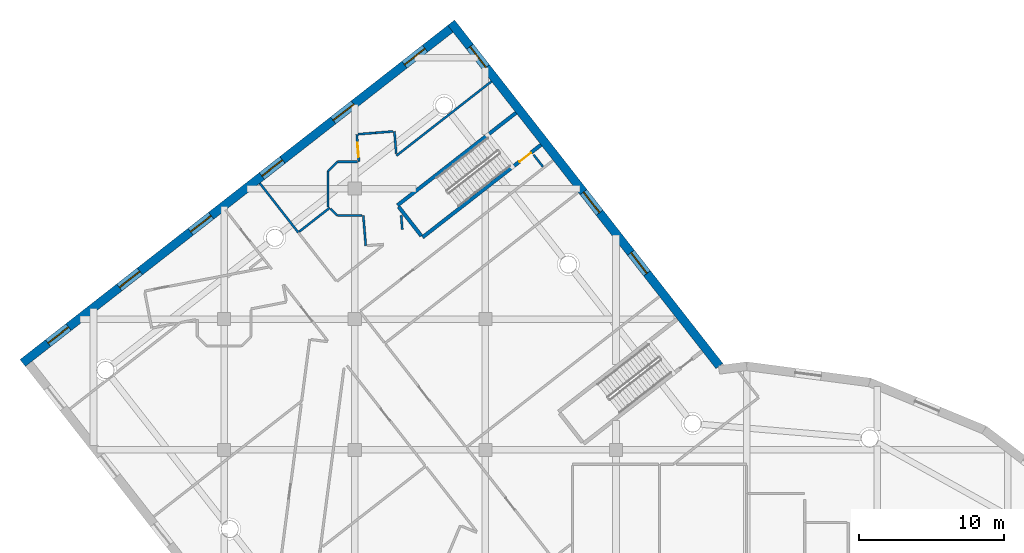
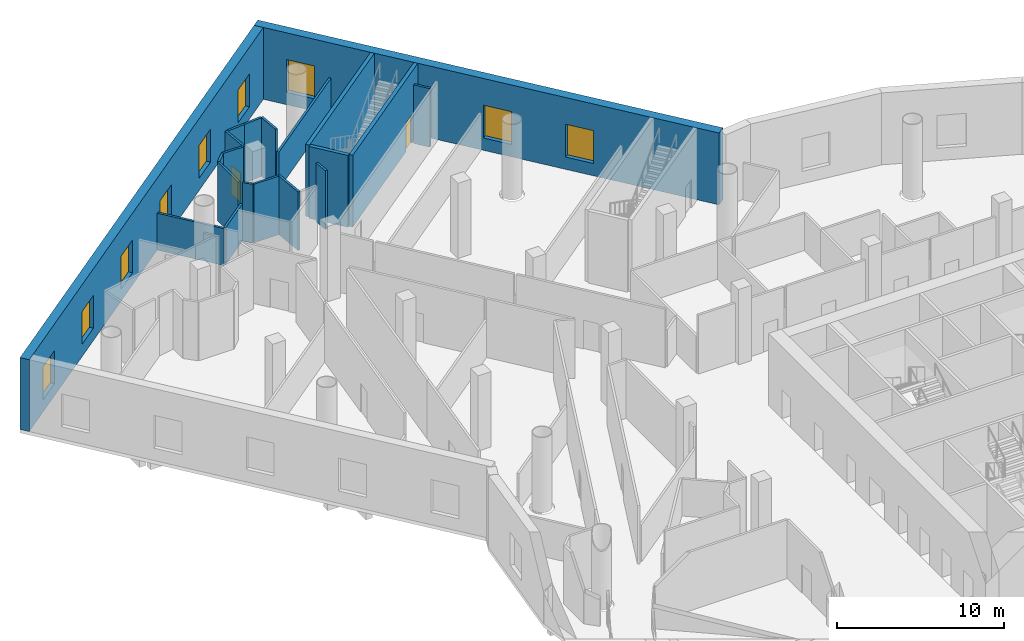
# One storey, part 11 of 23: 20 walls, 9 windows, 2 doors, 11 openings.
"""IFC4 building model written with IfcOpenShell, lengths in metres."""

from ifc_helpers import new_model, si_unit, direction, frame, frame_2d, origin, place, context, subcontext, project, spatial, rectangle, extrude, material, layer, layer_set, type_object, element, fill, save


model = new_model("IFC4")

# Units and contexts
model_context = context("Model", 3, precision=1e-05, world=origin(), true_north=direction((0.0, 1.0)))
body_context = subcontext(model_context, "Body", "Model", "MODEL_VIEW")
ifc_project = project(units=[si_unit("LENGTHUNIT", "METRE"), si_unit("AREAUNIT", "SQUARE_METRE"), si_unit("VOLUMEUNIT", "CUBIC_METRE"), si_unit("PLANEANGLEUNIT", "RADIAN"), si_unit("MASSUNIT", "GRAM", prefix="KILO")], contexts=[model_context])

# Site, building, storey
site_placement = place(None, origin())
site = spatial("IfcSite", under=ifc_project, at=site_placement, CompositionType="ELEMENT")
building_placement = place(site_placement, origin())
building = spatial("IfcBuilding", under=site, at=building_placement, Name="Tarsis Ring Headquarters", CompositionType="ELEMENT")
storey_placement = place(building_placement, frame((0.0, 0.0, 14.0)))
storey = spatial("IfcBuildingStorey", under=building, at=storey_placement, Name="L02", CompositionType="ELEMENT", Elevation=14.0)

# Walls
ifc_material_1 = material(Name="Plasterboard partition")
ifc_layer_1 = layer(ifc_material_1, 0.14990234375)
ifc_layer_set_1 = layer_set([ifc_layer_1], Name="PO-PW150")
wall_type_1 = type_object("IfcWallType", Name="PO-PW150", PredefinedType="PARTITIONING", material=ifc_layer_set_1)
wall_1_placement = place(storey_placement, frame((-24.13232421875, 47.26171875, 0.0), z_axis=(0.0, 0.0, 1.0), x_axis=(0.788011915988, 0.615659987543, 0.0)))
element("IfcWall", 1, at=wall_1_placement, inside=storey, type_object=wall_type_1, Name="L02 partition wall 39", PredefinedType="PARTITIONING", context=body_context, shape_type="SweptSolid", body=[
    extrude(rectangle(XDim=8.3193359375, YDim=0.14990234375, at=frame_2d((4.15966796875, 0.0))), origin(), (0.0, 0.0, 1.0), 2.699951171875),
])
wall_2_placement = place(storey_placement, frame((-30.894775390625, 41.978271484375, 0.0), z_axis=(0.0, 0.0, 1.0), x_axis=(-0.615645143791, 0.788023512928, 0.0)))
element("IfcWall", 2, at=wall_2_placement, inside=storey, type_object=wall_type_1, Name="L02 partition wall 83", PredefinedType="PARTITIONING", context=body_context, shape_type="SweptSolid", body=[
    extrude(rectangle(XDim=4.2998046875, YDim=0.14990234375, at=frame_2d((2.14990234375, 0.0))), origin(), (0.0, 0.0, 1.0), 2.699951171875),
])
wall_3_placement = place(storey_placement, frame((-28.72412109375, 43.674072265625, 0.0), z_axis=(0.0, 0.0, 1.0), x_axis=(-0.787998068046, -0.615677711759, 0.0)))
element("IfcWall", 3, at=wall_3_placement, inside=storey, type_object=wall_type_1, Name="L02 partition wall 109", PredefinedType="PARTITIONING", context=body_context, shape_type="SweptSolid", body=[
    extrude(rectangle(XDim=2.673583984375, YDim=0.14990234375, at=frame_2d((1.3369140625, 0.0))), origin(), (0.0, 0.0, 1.0), 2.699951171875),
])
ifc_layer_2 = layer(ifc_material_1, 0.14990234375)
ifc_layer_set_2 = layer_set([ifc_layer_2], Name="PO-PW150R-4283")
wall_type_2 = type_object("IfcWallType", Name="PO-PW150R-4283", PredefinedType="PARTITIONING", material=ifc_layer_set_2)
wall_4_placement = place(storey_placement, frame((-28.85009765625, 43.73583984375, 0.0), z_axis=(0.0, 0.0, 1.0), x_axis=(0.0, 1.0, 0.0)))
element("IfcWall", 4, at=wall_4_placement, inside=storey, type_object=wall_type_2, Name="L02 partition wall 111", PredefinedType="PARTITIONING", context=body_context, shape_type="SweptSolid", body=[
    extrude(rectangle(XDim=2.464111328125, YDim=0.14990234375, at=frame_2d((1.23193359375, 0.0))), origin(), (0.0, 0.0, 1.0), 4.282958984375),
])
wall_5_placement = place(storey_placement, frame((-26.242919921875, 41.0615234375, 0.0), z_axis=(0.0, 0.0, 1.0), x_axis=(-0.080055530561, 0.996790405264, 0.0)))
element("IfcWall", 5, at=wall_5_placement, inside=storey, type_object=wall_type_2, Name="L02 partition wall 122", PredefinedType="PARTITIONING", context=body_context, shape_type="SweptSolid", body=[
    extrude(rectangle(XDim=2.09521484375, YDim=0.14990234375, at=frame_2d((1.047607421875, 0.0))), origin(), (0.0, 0.0, 1.0), 4.282958984375),
])

# Wall, opening, door
wall_6_placement = place(storey_placement, frame((-26.707763671875, 46.85009765625, 0.0), z_axis=(0.0, 0.0, 1.0), x_axis=(-0.079991359735, 0.996795556956, 0.0)))
wall_6 = element("IfcWall", 6, at=wall_6_placement, inside=storey, type_object=wall_type_2, Name="L02 partition wall 130", PredefinedType="PARTITIONING", context=body_context, shape_type="SweptSolid", body=[
    extrude(rectangle(XDim=1.892333984375, YDim=0.14990234375, at=frame_2d((0.9462890625, 0.0))), origin(), (0.0, 0.0, 1.0), 4.282958984375),
])
opening_1_placement = place(wall_6_placement, frame((0.3251953125, 0.0, 0.0)))
opening_1 = element("IfcOpeningElement", 7, at=opening_1_placement, cuts=wall_6, Name="Opening PO-D1", PredefinedType="OPENING", context=body_context, shape_type="SweptSolid", body=[
    extrude(rectangle(XDim=1.0, YDim=2.10009765625, at=frame_2d((0.5, 1.050048828125))), frame((0.0, 0.0849609375, 0.0), z_axis=(0.0, -1.0, 0.0), x_axis=(1.0, 0.0, 0.0)), (0.0, 0.0, 1.0), 0.169921875),
])
ifc_material_2 = material(Name="Timber door", Category="wood")
door_type_1 = type_object("IfcDoorType", Name="PO-D1000", OperationType="NOTDEFINED", PredefinedType="DOOR", material=ifc_material_2)
door_1_placement = place(opening_1_placement, origin())
door_1 = element("IfcDoor", 8, at=door_1_placement, inside=storey, type_object=door_type_1, Name="Interpreters' booth door", OperationType="SINGLE_SWING_LEFT", OverallHeight=2.10009765625, OverallWidth=1.0, PredefinedType="DOOR", context=body_context, shape_type="SweptSolid", body=[
    extrude(rectangle(XDim=1.0, YDim=2.10009765625, at=frame_2d((0.5, 1.050048828125))), frame((0.0, 0.02490234375, 0.0), z_axis=(0.0, -1.0, 0.0), x_axis=(1.0, 0.0, 0.0)), (0.0, 0.0, 1.0), 0.050048828125),
])
fill(opening_1, door_1)

# Walls
wall_7_placement = place(storey_placement, frame((-26.49072265625, 43.14990234375, 0.0), z_axis=(0.0, 0.0, 1.0), x_axis=(-1.0, 0.0, 0.0)))
element("IfcWall", 9, at=wall_7_placement, inside=storey, type_object=wall_type_2, Name="L02 partition wall 133", PredefinedType="PARTITIONING", context=body_context, shape_type="SweptSolid", body=[
    extrude(rectangle(XDim=1.709228515625, YDim=0.14990234375, at=frame_2d((0.8544921875, 0.0))), origin(), (0.0, 0.0, 1.0), 4.282958984375),
])
wall_8_placement = place(storey_placement, frame((-24.267333984375, 48.9443359375, 0.0), z_axis=(0.0, 0.0, 1.0), x_axis=(0.079952056018, -0.996798710241, 0.0)))
element("IfcWall", 10, at=wall_8_placement, inside=storey, type_object=wall_type_2, Name="L02 partition wall 139", PredefinedType="PARTITIONING", context=body_context, shape_type="SweptSolid", body=[
    extrude(rectangle(XDim=1.548095703125, YDim=0.14990234375, at=frame_2d((0.77392578125, 0.0))), origin(), (0.0, 0.0, 1.0), 4.282958984375),
])
wall_9_placement = place(storey_placement, frame((-28.199951171875, 46.85009765625, 0.0), z_axis=(0.0, 0.0, 1.0), x_axis=(1.0, 0.0, 0.0)))
element("IfcWall", 11, at=wall_9_placement, inside=storey, type_object=wall_type_2, Name="L02 partition wall 145", PredefinedType="PARTITIONING", context=body_context, shape_type="SweptSolid", body=[
    extrude(rectangle(XDim=1.40234375, YDim=0.14990234375, at=frame_2d((0.701171875, 0.0))), origin(), (0.0, 0.0, 1.0), 4.282958984375),
])
for number, where, z_axis, x_axis, name in (
    (12, (-25.563232421875, 48.84033203125, 0.0), (0.0, 0.0, 1.0), (0.996791053035, 0.080047464608, 0.0), "L02 partition wall 147"),
    (13, (-26.779296875, 48.74267578125, 0.0), (0.0, 0.0, 1.0), (0.996791053035, 0.080047464608, 0.0), "L02 partition wall 148"),
):
    element("IfcWall", number, at=place(storey_placement, frame(where, z_axis=z_axis, x_axis=x_axis)), inside=storey, type_object=wall_type_2, Name=name, PredefinedType="PARTITIONING", context=body_context, shape_type="SweptSolid", body=[
        extrude(rectangle(XDim=1.219970703125, YDim=0.14990234375, at=frame_2d((0.60986328125, 0.0))), origin(), (0.0, 0.0, 1.0), 4.282958984375),
    ])
wall_10_placement = place(storey_placement, frame((-14.677734375, 47.328857421875, 0.0), z_axis=(0.0, 0.0, 1.0), x_axis=(0.615558650251, -0.788091078557, 0.0)))
element("IfcWall", 14, at=wall_10_placement, inside=storey, type_object=wall_type_2, Name="L02 partition wall 158", PredefinedType="PARTITIONING", context=body_context, shape_type="SweptSolid", body=[
    extrude(rectangle(XDim=1.05419921875, YDim=0.14990234375, at=frame_2d((0.527099609375, 0.0))), origin(), (0.0, 0.0, 1.0), 4.282958984375),
])
wall_11_placement = place(storey_placement, frame((-23.802978515625, 43.158203125, 0.0), z_axis=(0.0, 0.0, 1.0), x_axis=(0.079961017386, -0.99679799142, 0.0)))
element("IfcWall", 15, at=wall_11_placement, inside=storey, type_object=wall_type_2, Name="L02 partition wall 161", PredefinedType="PARTITIONING", context=body_context, shape_type="SweptSolid", body=[
    extrude(rectangle(XDim=0.9892578125, YDim=0.14990234375, at=frame_2d((0.49462890625, 0.0))), origin(), (0.0, 0.0, 1.0), 4.282958984375),
])
wall_12_placement = place(storey_placement, frame((-28.85009765625, 46.199951171875, 0.0), z_axis=(0.0, 0.0, 1.0), x_axis=(0.707106781187, 0.707106781187, 0.0)))
element("IfcWall", 16, at=wall_12_placement, inside=storey, type_object=wall_type_2, Name="L02 partition wall 167", PredefinedType="PARTITIONING", context=body_context, shape_type="SweptSolid", body=[
    extrude(rectangle(XDim=0.91943359375, YDim=0.14990234375, at=frame_2d((0.459716796875, 0.0))), origin(), (0.0, 0.0, 1.0), 4.282958984375),
])
wall_13_placement = place(storey_placement, frame((-28.199951171875, 43.14990234375, 0.0), z_axis=(0.0, 0.0, 1.0), x_axis=(-0.707106781187, 0.707106781187, 0.0)))
element("IfcWall", 17, at=wall_13_placement, inside=storey, type_object=wall_type_2, Name="L02 partition wall 172", PredefinedType="PARTITIONING", context=body_context, shape_type="SweptSolid", body=[
    extrude(rectangle(XDim=0.6611328125, YDim=0.14990234375, at=frame_2d((0.33056640625, 0.0))), origin(), (0.0, 0.0, 1.0), 4.282958984375),
])

# Wall, opening, door
ifc_material_3 = material(Name="Concrete C40/50", Category="concrete")
ifc_layer_3 = layer(ifc_material_3, 0.25)
ifc_layer_set_3 = layer_set([ifc_layer_3], Name="PO-W250")
wall_type_3 = type_object("IfcWallType", Name="PO-W250", PredefinedType="SOLIDWALL", material=ifc_layer_set_3)
wall_14_placement = place(storey_placement, frame((-14.163818359375, 48.015380859375, 0.0), z_axis=(0.0, 0.0, 1.0), x_axis=(-0.788278990398, -0.61531799364, 0.0)))
wall_14 = element("IfcWall", 18, at=wall_14_placement, inside=storey, type_object=wall_type_3, Name="L02 shaft wall 27", PredefinedType="SOLIDWALL", context=body_context, shape_type="SweptSolid", body=[
    extrude(rectangle(XDim=10.362060546875, YDim=0.25, at=frame_2d((5.18115234375, 0.0))), origin(), (0.0, 0.0, 1.0), 5.25),
])
opening_2_placement = place(wall_14_placement, frame((0.89697265625, 0.0, 0.0)))
opening_2 = element("IfcOpeningElement", 19, at=opening_2_placement, cuts=wall_14, Name="Opening PO-D3", PredefinedType="OPENING", context=body_context, shape_type="SweptSolid", body=[
    extrude(rectangle(XDim=1.0, YDim=2.10009765625, at=frame_2d((0.5, 1.050048828125))), frame((0.0, 0.135009765625, 0.0), z_axis=(0.0, -1.0, 0.0), x_axis=(1.0, 0.0, 0.0)), (0.0, 0.0, 1.0), 0.27001953125),
])
ifc_material_4 = material(Name="Steel fire door", Category="steel")
door_type_2 = type_object("IfcDoorType", Name="PO-D1000F", OperationType="SINGLE_SWING_LEFT", PredefinedType="DOOR", material=ifc_material_4)
door_2_placement = place(opening_2_placement, origin())
door_2 = element("IfcDoor", 20, at=door_2_placement, inside=storey, type_object=door_type_2, Name="Exit stair 4 door", OperationType="SINGLE_SWING_LEFT", OverallHeight=2.10009765625, OverallWidth=1.0, PredefinedType="DOOR", context=body_context, shape_type="SweptSolid", body=[
    extrude(rectangle(XDim=1.0, YDim=2.10009765625, at=frame_2d((0.5, 1.050048828125))), frame((0.0, 0.02490234375, 0.0), z_axis=(0.0, -1.0, 0.0), x_axis=(1.0, 0.0, 0.0)), (0.0, 0.0, 1.0), 0.050048828125),
])
fill(opening_2, door_2)

# Walls
wall_15_placement = place(storey_placement, frame((-24.054931640625, 43.8466796875, 0.0), z_axis=(0.0, 0.0, 1.0), x_axis=(0.788277592166, 0.615319784899, 0.0)))
element("IfcWall", 21, at=wall_15_placement, inside=storey, type_object=wall_type_3, Name="L02 shaft wall 28", PredefinedType="SOLIDWALL", context=body_context, shape_type="SweptSolid", body=[
    extrude(rectangle(XDim=10.36083984375, YDim=0.25, at=frame_2d((5.180419921875, 0.0))), origin(), (0.0, 0.0, 1.0), 5.25),
])
wall_16_placement = place(storey_placement, frame((-22.412109375, 41.741943359375, 0.0), z_axis=(0.0, 0.0, 1.0), x_axis=(-0.615283967859, 0.788305549197, 0.0)))
element("IfcWall", 22, at=wall_16_placement, inside=storey, type_object=wall_type_3, Name="L02 shaft wall 106", PredefinedType="SOLIDWALL", context=body_context, shape_type="SweptSolid", body=[
    extrude(rectangle(XDim=2.539794921875, YDim=0.25, at=frame_2d((1.27001953125, 0.0))), origin(), (0.0, 0.0, 1.0), 5.25),
])

# Wall, openings, windows
ifc_material_5 = material(Name="Concrete C60/75", Category="concrete")
ifc_layer_4 = layer(ifc_material_5, 0.60009765625)
ifc_layer_set_4 = layer_set([ifc_layer_4], Name="PO-W600")
wall_type_4 = type_object("IfcWallType", Name="PO-W600", PredefinedType="SOLIDWALL", material=ifc_layer_set_4)
wall_17_placement = place(storey_placement, frame((-1.87353515625, 32.77197265625, 0.0), z_axis=(0.0, 0.0, 1.0), x_axis=(-0.615664714742, 0.788008222687, 0.0)))
wall_17 = element("IfcWall", 23, at=wall_17_placement, inside=storey, type_object=wall_type_4, Name="L02 external wall 23", PredefinedType="SOLIDWALL", context=body_context, shape_type="SweptSolid", body=[
    extrude(rectangle(XDim=30.02197265625, YDim=0.60009765625, at=frame_2d((15.010986328125, 0.0))), origin(), (0.0, 0.0, 1.0), 5.25),
])
opening_3_placement = place(wall_17_placement, frame((8.106689453125, 0.0, 0.89990234375)))
opening_3 = element("IfcOpeningElement", 24, at=opening_3_placement, cuts=wall_17, Name="Opening PO-WN1", PredefinedType="OPENING", context=body_context, shape_type="SweptSolid", body=[
    extrude(rectangle(XDim=1.800048828125, YDim=2.39990234375, at=frame_2d((0.89990234375, 1.199951171875))), frame((0.0, 0.31005859375, 0.0), z_axis=(0.0, -1.0, 0.0), x_axis=(1.0, 0.0, 0.0)), (0.0, 0.0, 1.0), 0.6201171875),
])
opening_4_placement = place(wall_17_placement, frame((13.410888671875, 0.0, 0.89990234375)))
opening_4 = element("IfcOpeningElement", 25, at=opening_4_placement, cuts=wall_17, Name="Opening PO-WN1", PredefinedType="OPENING", context=body_context, shape_type="SweptSolid", body=[
    extrude(rectangle(XDim=1.800048828125, YDim=2.39990234375, at=frame_2d((0.89990234375, 1.199951171875))), frame((0.0, 0.31005859375, 0.0), z_axis=(0.0, -1.0, 0.0), x_axis=(1.0, 0.0, 0.0)), (0.0, 0.0, 1.0), 0.6201171875),
])
opening_5_placement = place(wall_17_placement, frame((26.11962890625, 0.0, 0.89990234375)))
opening_5 = element("IfcOpeningElement", 26, at=opening_5_placement, cuts=wall_17, Name="Opening PO-WN1", PredefinedType="OPENING", context=body_context, shape_type="SweptSolid", body=[
    extrude(rectangle(XDim=1.800048828125, YDim=2.39990234375, at=frame_2d((0.89990234375, 1.199951171875))), frame((0.0, 0.31005859375, 0.0), z_axis=(0.0, -1.0, 0.0), x_axis=(1.0, 0.0, 0.0)), (0.0, 0.0, 1.0), 0.6201171875),
])
ifc_material_6 = material(Name="Double glazing", Category="glass")
window_type = type_object("IfcWindowType", Name="PO-WN1800", PartitioningType="SINGLE_PANEL", PredefinedType="WINDOW", material=ifc_material_6)
window_1_placement = place(opening_3_placement, origin())
window_1 = element("IfcWindow", 27, at=window_1_placement, inside=storey, type_object=window_type, Name="L02 window 23.1", OverallHeight=2.39990234375, OverallWidth=1.800048828125, PartitioningType="SINGLE_PANEL", PredefinedType="WINDOW", context=body_context, shape_type="SweptSolid", body=[
    extrude(rectangle(XDim=1.800048828125, YDim=2.39990234375, at=frame_2d((0.89990234375, 1.199951171875))), frame((0.0, 0.030029296875, 0.0), z_axis=(0.0, -1.0, 0.0), x_axis=(1.0, 0.0, 0.0)), (0.0, 0.0, 1.0), 0.06005859375),
])
fill(opening_3, window_1)
window_2_placement = place(opening_4_placement, origin())
window_2 = element("IfcWindow", 28, at=window_2_placement, inside=storey, type_object=window_type, Name="L02 window 23.2", OverallHeight=2.39990234375, OverallWidth=1.800048828125, PartitioningType="SINGLE_PANEL", PredefinedType="WINDOW", context=body_context, shape_type="SweptSolid", body=[
    extrude(rectangle(XDim=1.800048828125, YDim=2.39990234375, at=frame_2d((0.89990234375, 1.199951171875))), frame((0.0, 0.030029296875, 0.0), z_axis=(0.0, -1.0, 0.0), x_axis=(1.0, 0.0, 0.0)), (0.0, 0.0, 1.0), 0.06005859375),
])
fill(opening_4, window_2)
window_3_placement = place(opening_5_placement, origin())
window_3 = element("IfcWindow", 29, at=window_3_placement, inside=storey, type_object=window_type, Name="L02 window 23.3", OverallHeight=2.39990234375, OverallWidth=1.800048828125, PartitioningType="SINGLE_PANEL", PredefinedType="WINDOW", context=body_context, shape_type="SweptSolid", body=[
    extrude(rectangle(XDim=1.800048828125, YDim=2.39990234375, at=frame_2d((0.89990234375, 1.199951171875))), frame((0.0, 0.030029296875, 0.0), z_axis=(0.0, -1.0, 0.0), x_axis=(1.0, 0.0, 0.0)), (0.0, 0.0, 1.0), 0.06005859375),
])
fill(opening_5, window_3)

wall_18_placement = place(storey_placement, frame((-20.40869140625, 56.00830078125, 0.0), z_axis=(0.0, 0.0, 1.0), x_axis=(-0.788010419186, -0.615661903365, 0.0)))
wall_18 = element("IfcWall", 30, at=wall_18_placement, inside=storey, type_object=wall_type_4, Name="L02 external wall 24", PredefinedType="SOLIDWALL", context=body_context, shape_type="SweptSolid", body=[
    extrude(rectangle(XDim=37.39990234375, YDim=0.60009765625, at=frame_2d((18.699951171875, 0.0))), origin(), (0.0, 0.0, 1.0), 5.25),
])
opening_6_placement = place(wall_18_placement, frame((2.216552734375, 0.0, 0.89990234375)))
opening_6 = element("IfcOpeningElement", 31, at=opening_6_placement, cuts=wall_18, Name="Opening PO-WN1", PredefinedType="OPENING", context=body_context, shape_type="SweptSolid", body=[
    extrude(rectangle(XDim=1.800048828125, YDim=2.39990234375, at=frame_2d((0.89990234375, 1.199951171875))), frame((0.0, 0.31005859375, 0.0), z_axis=(0.0, -1.0, 0.0), x_axis=(1.0, 0.0, 0.0)), (0.0, 0.0, 1.0), 0.6201171875),
])
opening_7_placement = place(wall_18_placement, frame((8.449951171875, 0.0, 0.89990234375)))
opening_7 = element("IfcOpeningElement", 32, at=opening_7_placement, cuts=wall_18, Name="Opening PO-WN1", PredefinedType="OPENING", context=body_context, shape_type="SweptSolid", body=[
    extrude(rectangle(XDim=1.800048828125, YDim=2.39990234375, at=frame_2d((0.89990234375, 1.199951171875))), frame((0.0, 0.31005859375, 0.0), z_axis=(0.0, -1.0, 0.0), x_axis=(1.0, 0.0, 0.0)), (0.0, 0.0, 1.0), 0.6201171875),
])
opening_8_placement = place(wall_18_placement, frame((14.683349609375, 0.0, 0.89990234375)))
opening_8 = element("IfcOpeningElement", 33, at=opening_8_placement, cuts=wall_18, Name="Opening PO-WN1", PredefinedType="OPENING", context=body_context, shape_type="SweptSolid", body=[
    extrude(rectangle(XDim=1.800048828125, YDim=2.39990234375, at=frame_2d((0.89990234375, 1.199951171875))), frame((0.0, 0.31005859375, 0.0), z_axis=(0.0, -1.0, 0.0), x_axis=(1.0, 0.0, 0.0)), (0.0, 0.0, 1.0), 0.6201171875),
])
opening_9_placement = place(wall_18_placement, frame((20.916748046875, 0.0, 0.89990234375)))
opening_9 = element("IfcOpeningElement", 34, at=opening_9_placement, cuts=wall_18, Name="Opening PO-WN1", PredefinedType="OPENING", context=body_context, shape_type="SweptSolid", body=[
    extrude(rectangle(XDim=1.800048828125, YDim=2.39990234375, at=frame_2d((0.89990234375, 1.199951171875))), frame((0.0, 0.31005859375, 0.0), z_axis=(0.0, -1.0, 0.0), x_axis=(1.0, 0.0, 0.0)), (0.0, 0.0, 1.0), 0.6201171875),
])
opening_10_placement = place(wall_18_placement, frame((27.14990234375, 0.0, 0.89990234375)))
opening_10 = element("IfcOpeningElement", 35, at=opening_10_placement, cuts=wall_18, Name="Opening PO-WN1", PredefinedType="OPENING", context=body_context, shape_type="SweptSolid", body=[
    extrude(rectangle(XDim=1.800048828125, YDim=2.39990234375, at=frame_2d((0.89990234375, 1.199951171875))), frame((0.0, 0.31005859375, 0.0), z_axis=(0.0, -1.0, 0.0), x_axis=(1.0, 0.0, 0.0)), (0.0, 0.0, 1.0), 0.6201171875),
])
opening_11_placement = place(wall_18_placement, frame((33.38330078125, 0.0, 0.89990234375)))
opening_11 = element("IfcOpeningElement", 36, at=opening_11_placement, cuts=wall_18, Name="Opening PO-WN1", PredefinedType="OPENING", context=body_context, shape_type="SweptSolid", body=[
    extrude(rectangle(XDim=1.800048828125, YDim=2.39990234375, at=frame_2d((0.89990234375, 1.199951171875))), frame((0.0, 0.31005859375, 0.0), z_axis=(0.0, -1.0, 0.0), x_axis=(1.0, 0.0, 0.0)), (0.0, 0.0, 1.0), 0.6201171875),
])
window_4_placement = place(opening_6_placement, origin())
window_4 = element("IfcWindow", 37, at=window_4_placement, inside=storey, type_object=window_type, Name="L02 window 24.1", OverallHeight=2.39990234375, OverallWidth=1.800048828125, PartitioningType="SINGLE_PANEL", PredefinedType="WINDOW", context=body_context, shape_type="SweptSolid", body=[
    extrude(rectangle(XDim=1.800048828125, YDim=2.39990234375, at=frame_2d((0.89990234375, 1.199951171875))), frame((0.0, 0.030029296875, 0.0), z_axis=(0.0, -1.0, 0.0), x_axis=(1.0, 0.0, 0.0)), (0.0, 0.0, 1.0), 0.06005859375),
])
fill(opening_6, window_4)
window_5_placement = place(opening_7_placement, origin())
window_5 = element("IfcWindow", 38, at=window_5_placement, inside=storey, type_object=window_type, Name="L02 window 24.2", OverallHeight=2.39990234375, OverallWidth=1.800048828125, PartitioningType="SINGLE_PANEL", PredefinedType="WINDOW", context=body_context, shape_type="SweptSolid", body=[
    extrude(rectangle(XDim=1.800048828125, YDim=2.39990234375, at=frame_2d((0.89990234375, 1.199951171875))), frame((0.0, 0.030029296875, 0.0), z_axis=(0.0, -1.0, 0.0), x_axis=(1.0, 0.0, 0.0)), (0.0, 0.0, 1.0), 0.06005859375),
])
fill(opening_7, window_5)
window_6_placement = place(opening_8_placement, origin())
window_6 = element("IfcWindow", 39, at=window_6_placement, inside=storey, type_object=window_type, Name="L02 window 24.3", OverallHeight=2.39990234375, OverallWidth=1.800048828125, PartitioningType="SINGLE_PANEL", PredefinedType="WINDOW", context=body_context, shape_type="SweptSolid", body=[
    extrude(rectangle(XDim=1.800048828125, YDim=2.39990234375, at=frame_2d((0.89990234375, 1.199951171875))), frame((0.0, 0.030029296875, 0.0), z_axis=(0.0, -1.0, 0.0), x_axis=(1.0, 0.0, 0.0)), (0.0, 0.0, 1.0), 0.06005859375),
])
fill(opening_8, window_6)
window_7_placement = place(opening_9_placement, origin())
window_7 = element("IfcWindow", 40, at=window_7_placement, inside=storey, type_object=window_type, Name="L02 window 24.4", OverallHeight=2.39990234375, OverallWidth=1.800048828125, PartitioningType="SINGLE_PANEL", PredefinedType="WINDOW", context=body_context, shape_type="SweptSolid", body=[
    extrude(rectangle(XDim=1.800048828125, YDim=2.39990234375, at=frame_2d((0.89990234375, 1.199951171875))), frame((0.0, 0.030029296875, 0.0), z_axis=(0.0, -1.0, 0.0), x_axis=(1.0, 0.0, 0.0)), (0.0, 0.0, 1.0), 0.06005859375),
])
fill(opening_9, window_7)
window_8_placement = place(opening_10_placement, origin())
window_8 = element("IfcWindow", 41, at=window_8_placement, inside=storey, type_object=window_type, Name="L02 window 24.5", OverallHeight=2.39990234375, OverallWidth=1.800048828125, PartitioningType="SINGLE_PANEL", PredefinedType="WINDOW", context=body_context, shape_type="SweptSolid", body=[
    extrude(rectangle(XDim=1.800048828125, YDim=2.39990234375, at=frame_2d((0.89990234375, 1.199951171875))), frame((0.0, 0.030029296875, 0.0), z_axis=(0.0, -1.0, 0.0), x_axis=(1.0, 0.0, 0.0)), (0.0, 0.0, 1.0), 0.06005859375),
])
fill(opening_10, window_8)
window_9_placement = place(opening_11_placement, origin())
window_9 = element("IfcWindow", 42, at=window_9_placement, inside=storey, type_object=window_type, Name="L02 window 24.6", OverallHeight=2.39990234375, OverallWidth=1.800048828125, PartitioningType="SINGLE_PANEL", PredefinedType="WINDOW", context=body_context, shape_type="SweptSolid", body=[
    extrude(rectangle(XDim=1.800048828125, YDim=2.39990234375, at=frame_2d((0.89990234375, 1.199951171875))), frame((0.0, 0.030029296875, 0.0), z_axis=(0.0, -1.0, 0.0), x_axis=(1.0, 0.0, 0.0)), (0.0, 0.0, 1.0), 0.06005859375),
])
fill(opening_11, window_9)

save(model, "model.ifc")
